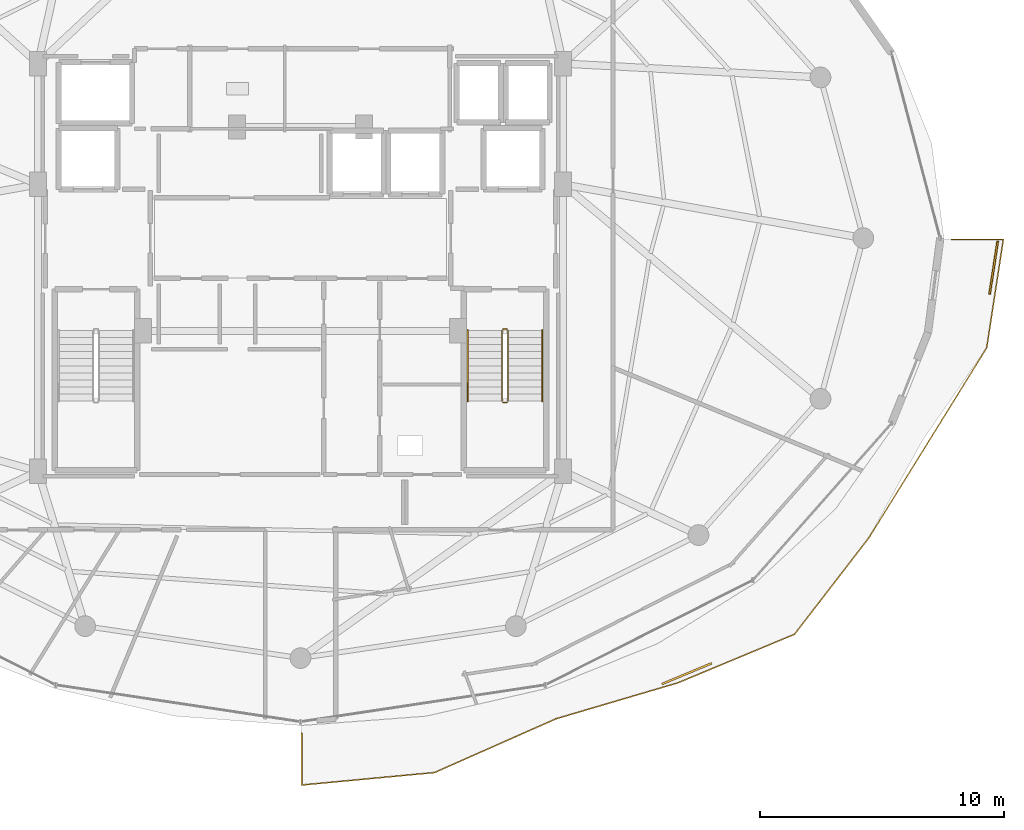
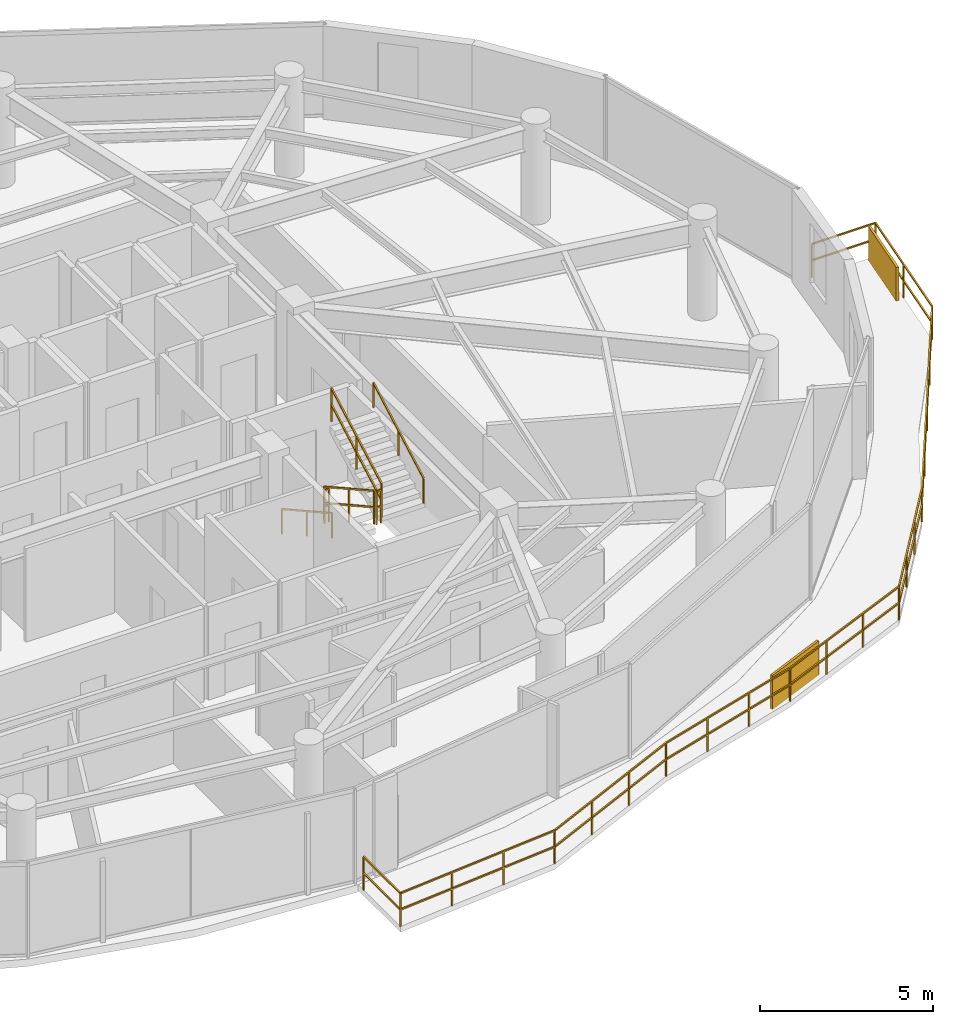
# One storey, part 28 of 30: 8 railings, 2 shading devices.
"""IFC4 building model written with IfcOpenShell, lengths in metres."""

from ifc_helpers import new_model, si_unit, direction, frame, origin, origin_2d, place, context, subcontext, project, spatial, rectangle, extrude, material, type_object, element, save


model = new_model("IFC4")

# Units and contexts
model_context = context("Model", 3, precision=1e-05, world=origin(), true_north=direction((0.0, 1.0)))
body_context = subcontext(model_context, "Body", "Model", "MODEL_VIEW")
ifc_project = project(units=[si_unit("LENGTHUNIT", "METRE"), si_unit("AREAUNIT", "SQUARE_METRE"), si_unit("VOLUMEUNIT", "CUBIC_METRE"), si_unit("PLANEANGLEUNIT", "RADIAN"), si_unit("MASSUNIT", "GRAM", prefix="KILO")], contexts=[model_context])

# Site, building, storey
site_placement = place(None, origin())
site = spatial("IfcSite", under=ifc_project, at=site_placement, CompositionType="ELEMENT")
building_placement = place(site_placement, origin())
building = spatial("IfcBuilding", under=site, at=building_placement, Name="Vorneva Point Tower", CompositionType="ELEMENT")
storey_placement = place(building_placement, frame((0.0, 0.0, 241.35009765625)))
storey = spatial("IfcBuildingStorey", under=building, at=storey_placement, Name="L65", CompositionType="ELEMENT", Elevation=241.35009765625)

# Railings
ifc_material_1 = material(Name="Pale anodised aluminium", Category="aluminium")
railing_type_1 = type_object("IfcRailingType", Name="RL-BAL-1200", PredefinedType="BALUSTRADE", material=ifc_material_1)
railing_1_placement = place(storey_placement, frame((66.10595703125, 21.511962890625, 0.0)))
element("IfcRailing", 1, at=railing_1_placement, inside=storey, type_object=railing_type_1, Name="L65 Wave Balcony Balustrade SE.1", PredefinedType="BALUSTRADE", context=body_context, shape_type="SweptSolid", body=[
    extrude(rectangle(XDim=0.048095703125, YDim=0.048095703125, at=origin_2d()), frame((0.0, 0.0, 1.17578125), z_axis=(0.151758903978, 0.988417540852, 0.0), x_axis=(-0.988417540852, 0.151758903978, 0.0)), (0.0, 0.0, 1.0), 4.489990234375),
    extrude(rectangle(XDim=0.048095703125, YDim=0.048095703125, at=origin_2d()), frame((0.0, 0.0, 0.60009765625), z_axis=(0.151758903978, 0.988417540852, 0.0), x_axis=(-0.988417540852, 0.151758903978, 0.0)), (0.0, 0.0, 1.0), 4.489990234375),
    extrude(rectangle(XDim=0.048095703125, YDim=0.048095703125, at=origin_2d()), frame((0.681396484375, 4.43798828125, 1.17578125), z_axis=(-1.0, 0.0, 0.0), x_axis=(0.0, -1.0, 0.0)), (0.0, 0.0, 1.0), 2.12109375),
    extrude(rectangle(XDim=0.048095703125, YDim=0.048095703125, at=origin_2d()), frame((0.681396484375, 4.43798828125, 0.60009765625), z_axis=(-1.0, 0.0, 0.0), x_axis=(0.0, -1.0, 0.0)), (0.0, 0.0, 1.0), 2.12109375),
    extrude(rectangle(XDim=0.0419921875, YDim=0.0419921875, at=origin_2d()), origin(), (0.0, 0.0, 1.0), 1.15185546875),
    extrude(rectangle(XDim=0.0419921875, YDim=0.0419921875, at=origin_2d()), frame((0.3408203125, 2.218994140625, 0.0)), (0.0, 0.0, 1.0), 1.15185546875),
    extrude(rectangle(XDim=0.0419921875, YDim=0.0419921875, at=origin_2d()), frame((0.681396484375, 4.43798828125, 0.0)), (0.0, 0.0, 1.0), 1.15185546875),
    extrude(rectangle(XDim=0.0419921875, YDim=0.0419921875, at=origin_2d()), frame((-1.439697265625, 4.43798828125, 0.0)), (0.0, 0.0, 1.0), 1.15185546875),
])
railing_2_placement = place(storey_placement, frame((38.050048828125, 5.722900390625, 0.0)))
element("IfcRailing", 2, at=railing_2_placement, inside=storey, type_object=railing_type_1, Name="L65 Wave Balcony Balustrade SE.2", PredefinedType="BALUSTRADE", context=body_context, shape_type="SweptSolid", body=[
    extrude(rectangle(XDim=0.048095703125, YDim=0.048095703125, at=origin_2d()), frame((0.0, 0.0, 1.17578125), z_axis=(0.0, -1.0, 0.0), x_axis=(1.0, 0.0, 0.0)), (0.0, 0.0, 1.0), 2.123291015625),
    extrude(rectangle(XDim=0.048095703125, YDim=0.048095703125, at=origin_2d()), frame((0.0, 0.0, 0.60009765625), z_axis=(0.0, -1.0, 0.0), x_axis=(1.0, 0.0, 0.0)), (0.0, 0.0, 1.0), 2.123291015625),
    extrude(rectangle(XDim=0.048095703125, YDim=0.048095703125, at=origin_2d()), frame((0.0, -2.123291015625, 1.17578125), z_axis=(0.995615776672, 0.09353729332, 0.0), x_axis=(-0.09353729332, 0.995615776672, 0.0)), (0.0, 0.0, 1.0), 5.462890625),
    extrude(rectangle(XDim=0.048095703125, YDim=0.048095703125, at=origin_2d()), frame((0.0, -2.123291015625, 0.60009765625), z_axis=(0.995615776672, 0.09353729332, 0.0), x_axis=(-0.09353729332, 0.995615776672, 0.0)), (0.0, 0.0, 1.0), 5.462890625),
    extrude(rectangle(XDim=0.048095703125, YDim=0.048095703125, at=origin_2d()), frame((5.43896484375, -1.6123046875, 1.17578125), z_axis=(0.914502833998, 0.40457949356, 0.0), x_axis=(-0.40457949356, 0.914502833998, 0.0)), (0.0, 0.0, 1.0), 5.450927734375),
    extrude(rectangle(XDim=0.048095703125, YDim=0.048095703125, at=origin_2d()), frame((5.43896484375, -1.6123046875, 0.60009765625), z_axis=(0.914502833998, 0.40457949356, 0.0), x_axis=(-0.40457949356, 0.914502833998, 0.0)), (0.0, 0.0, 1.0), 5.450927734375),
    extrude(rectangle(XDim=0.048095703125, YDim=0.048095703125, at=origin_2d()), frame((10.423828125, 0.593017578125, 1.17578125), z_axis=(0.959158019057, 0.282870808814, 0.0), x_axis=(-0.282870808814, 0.959158019057, 0.0)), (0.0, 0.0, 1.0), 5.196533203125),
    extrude(rectangle(XDim=0.048095703125, YDim=0.048095703125, at=origin_2d()), frame((10.423828125, 0.593017578125, 0.60009765625), z_axis=(0.959158019057, 0.282870808814, 0.0), x_axis=(-0.282870808814, 0.959158019057, 0.0)), (0.0, 0.0, 1.0), 5.196533203125),
    extrude(rectangle(XDim=0.048095703125, YDim=0.048095703125, at=origin_2d()), frame((15.408203125, 2.06298828125, 1.17578125), z_axis=(0.923176059665, 0.384377370381, 0.0), x_axis=(-0.384377370381, 0.923176059665, 0.0)), (0.0, 0.0, 1.0), 5.17138671875),
    extrude(rectangle(XDim=0.048095703125, YDim=0.048095703125, at=origin_2d()), frame((15.408203125, 2.06298828125, 0.60009765625), z_axis=(0.923176059665, 0.384377370381, 0.0), x_axis=(-0.384377370381, 0.923176059665, 0.0)), (0.0, 0.0, 1.0), 5.17138671875),
    extrude(rectangle(XDim=0.048095703125, YDim=0.048095703125, at=origin_2d()), frame((20.182373046875, 4.05078125, 1.17578125), z_axis=(0.610723422799, 0.791843987692, 0.0), x_axis=(-0.791843987692, 0.610723422799, 0.0)), (0.0, 0.0, 1.0), 4.97265625),
    extrude(rectangle(XDim=0.048095703125, YDim=0.048095703125, at=origin_2d()), frame((20.182373046875, 4.05078125, 0.60009765625), z_axis=(0.610723422799, 0.791843987692, 0.0), x_axis=(-0.791843987692, 0.610723422799, 0.0)), (0.0, 0.0, 1.0), 4.97265625),
    extrude(rectangle(XDim=0.048095703125, YDim=0.048095703125, at=origin_2d()), frame((23.21923828125, 7.98828125, 1.17578125), z_axis=(0.526954270992, 0.849893638218, 0.0), x_axis=(-0.849893638218, 0.526954270992, 0.0)), (0.0, 0.0, 1.0), 9.178466796875),
    extrude(rectangle(XDim=0.048095703125, YDim=0.048095703125, at=origin_2d()), frame((23.21923828125, 7.98828125, 0.60009765625), z_axis=(0.526954270992, 0.849893638218, 0.0), x_axis=(-0.849893638218, 0.526954270992, 0.0)), (0.0, 0.0, 1.0), 9.178466796875),
    extrude(rectangle(XDim=0.0419921875, YDim=0.0419921875, at=origin_2d()), origin(), (0.0, 0.0, 1.0), 1.15185546875),
    extrude(rectangle(XDim=0.0419921875, YDim=0.0419921875, at=origin_2d()), frame((0.0, -2.123291015625, 0.0)), (0.0, 0.0, 1.0), 1.15185546875),
    extrude(rectangle(XDim=0.0419921875, YDim=0.0419921875, at=origin_2d()), frame((1.81298828125, -1.952880859375, 0.0)), (0.0, 0.0, 1.0), 1.15185546875),
    extrude(rectangle(XDim=0.0419921875, YDim=0.0419921875, at=origin_2d()), frame((3.6259765625, -1.78271484375, 0.0)), (0.0, 0.0, 1.0), 1.15185546875),
    extrude(rectangle(XDim=0.0419921875, YDim=0.0419921875, at=origin_2d()), frame((5.43896484375, -1.6123046875, 0.0)), (0.0, 0.0, 1.0), 1.15185546875),
    extrude(rectangle(XDim=0.0419921875, YDim=0.0419921875, at=origin_2d()), frame((7.1005859375, -0.877197265625, 0.0)), (0.0, 0.0, 1.0), 1.15185546875),
    extrude(rectangle(XDim=0.0419921875, YDim=0.0419921875, at=origin_2d()), frame((8.76220703125, -0.14208984375, 0.0)), (0.0, 0.0, 1.0), 1.15185546875),
    extrude(rectangle(XDim=0.0419921875, YDim=0.0419921875, at=origin_2d()), frame((10.423828125, 0.593017578125, 0.0)), (0.0, 0.0, 1.0), 1.15185546875),
    extrude(rectangle(XDim=0.0419921875, YDim=0.0419921875, at=origin_2d()), frame((12.085205078125, 1.0830078125, 0.0)), (0.0, 0.0, 1.0), 1.15185546875),
    extrude(rectangle(XDim=0.0419921875, YDim=0.0419921875, at=origin_2d()), frame((13.746826171875, 1.572998046875, 0.0)), (0.0, 0.0, 1.0), 1.15185546875),
    extrude(rectangle(XDim=0.0419921875, YDim=0.0419921875, at=origin_2d()), frame((15.408203125, 2.06298828125, 0.0)), (0.0, 0.0, 1.0), 1.15185546875),
    extrude(rectangle(XDim=0.0419921875, YDim=0.0419921875, at=origin_2d()), frame((16.99951171875, 2.7255859375, 0.0)), (0.0, 0.0, 1.0), 1.15185546875),
    extrude(rectangle(XDim=0.0419921875, YDim=0.0419921875, at=origin_2d()), frame((18.591064453125, 3.38818359375, 0.0)), (0.0, 0.0, 1.0), 1.15185546875),
    extrude(rectangle(XDim=0.0419921875, YDim=0.0419921875, at=origin_2d()), frame((20.182373046875, 4.05078125, 0.0)), (0.0, 0.0, 1.0), 1.15185546875),
    extrude(rectangle(XDim=0.0419921875, YDim=0.0419921875, at=origin_2d()), frame((21.194580078125, 5.36328125, 0.0)), (0.0, 0.0, 1.0), 1.15185546875),
    extrude(rectangle(XDim=0.0419921875, YDim=0.0419921875, at=origin_2d()), frame((22.20703125, 6.67578125, 0.0)), (0.0, 0.0, 1.0), 1.15185546875),
    extrude(rectangle(XDim=0.0419921875, YDim=0.0419921875, at=origin_2d()), frame((23.21923828125, 7.98828125, 0.0)), (0.0, 0.0, 1.0), 1.15185546875),
    extrude(rectangle(XDim=0.0419921875, YDim=0.0419921875, at=origin_2d()), frame((24.428466796875, 9.9384765625, 0.0)), (0.0, 0.0, 1.0), 1.15185546875),
    extrude(rectangle(XDim=0.0419921875, YDim=0.0419921875, at=origin_2d()), frame((25.6376953125, 11.888671875, 0.0)), (0.0, 0.0, 1.0), 1.15185546875),
    extrude(rectangle(XDim=0.0419921875, YDim=0.0419921875, at=origin_2d()), frame((26.8466796875, 13.8388671875, 0.0)), (0.0, 0.0, 1.0), 1.15185546875),
    extrude(rectangle(XDim=0.0419921875, YDim=0.0419921875, at=origin_2d()), frame((28.055908203125, 15.7890625, 0.0)), (0.0, 0.0, 1.0), 1.15185546875),
])
ifc_material_2 = material(Name="Brushed stainless steel S304", Category="steel")
railing_type_2 = type_object("IfcRailingType", Name="RL-HND-920", PredefinedType="HANDRAIL", material=ifc_material_2)
railing_3_placement = place(storey_placement, frame((44.85009765625, 22.219970703125, 0.161376953125)))
element("IfcRailing", 3, at=railing_3_placement, inside=storey, type_object=railing_type_2, Name="L65 ST2 stair handrail 1", PredefinedType="HANDRAIL", context=body_context, shape_type="SweptSolid", body=[
    extrude(rectangle(XDim=0.048095703125, YDim=0.048095703125, at=origin_2d()), frame((0.0, 0.0, 0.8759765625), z_axis=(0.0, -0.873841303929, 0.486211245805), x_axis=(1.0, 0.0, 0.0)), (0.0, 0.0, 1.0), 3.318603515625),
    extrude(rectangle(XDim=0.0419921875, YDim=0.0419921875, at=origin_2d()), origin(), (0.0, 0.0, 1.0), 0.851806640625),
    extrude(rectangle(XDim=0.0419921875, YDim=0.0419921875, at=origin_2d()), frame((0.0, -1.449951171875, 0.806640625)), (0.0, 0.0, 1.0), 0.851806640625),
    extrude(rectangle(XDim=0.0419921875, YDim=0.0419921875, at=origin_2d()), frame((0.0, -2.89990234375, 1.613525390625)), (0.0, 0.0, 1.0), 0.851806640625),
])
railing_4_placement = place(storey_placement, frame((47.89990234375, 19.320068359375, 1.936279296875)))
element("IfcRailing", 4, at=railing_4_placement, inside=storey, type_object=railing_type_2, Name="L65 ST2 stair handrail 2", PredefinedType="HANDRAIL", context=body_context, shape_type="SweptSolid", body=[
    extrude(rectangle(XDim=0.048095703125, YDim=0.048095703125, at=origin_2d()), frame((0.0, 0.0, 0.8759765625), z_axis=(0.0, 0.873841303929, 0.486211245805), x_axis=(-1.0, 0.0, 0.0)), (0.0, 0.0, 1.0), 3.318603515625),
    extrude(rectangle(XDim=0.0419921875, YDim=0.0419921875, at=origin_2d()), origin(), (0.0, 0.0, 1.0), 0.851806640625),
    extrude(rectangle(XDim=0.0419921875, YDim=0.0419921875, at=origin_2d()), frame((0.0, 1.449951171875, 0.806640625)), (0.0, 0.0, 1.0), 0.851806640625),
    extrude(rectangle(XDim=0.0419921875, YDim=0.0419921875, at=origin_2d()), frame((0.0, 2.89990234375, 1.613525390625)), (0.0, 0.0, 1.0), 0.851806640625),
])
railing_type_3 = type_object("IfcRailingType", Name="RL-STG-1100", PredefinedType="GUARDRAIL", material=ifc_material_2)
railing_5_placement = place(storey_placement, frame((46.25, 22.219970703125, 0.161376953125)))
element("IfcRailing", 5, at=railing_5_placement, inside=storey, type_object=railing_type_3, Name="L65 ST2 stair guard 1", PredefinedType="GUARDRAIL", context=body_context, shape_type="SweptSolid", body=[
    extrude(rectangle(XDim=0.048095703125, YDim=0.048095703125, at=origin_2d()), frame((0.0, 0.0, 1.17578125), z_axis=(0.0, -0.873841303929, 0.486211245805), x_axis=(1.0, 0.0, 0.0)), (0.0, 0.0, 1.0), 3.318603515625),
    extrude(rectangle(XDim=0.048095703125, YDim=0.048095703125, at=origin_2d()), frame((0.0, 0.0, 0.60009765625), z_axis=(0.0, -0.873841303929, 0.486211245805), x_axis=(1.0, 0.0, 0.0)), (0.0, 0.0, 1.0), 3.318603515625),
    extrude(rectangle(XDim=0.0419921875, YDim=0.0419921875, at=origin_2d()), origin(), (0.0, 0.0, 1.0), 1.15185546875),
    extrude(rectangle(XDim=0.0419921875, YDim=0.0419921875, at=origin_2d()), frame((0.0, -1.449951171875, 0.806640625)), (0.0, 0.0, 1.0), 1.15185546875),
    extrude(rectangle(XDim=0.0419921875, YDim=0.0419921875, at=origin_2d()), frame((0.0, -2.89990234375, 1.613525390625)), (0.0, 0.0, 1.0), 1.15185546875),
])
railing_6_placement = place(storey_placement, frame((46.300048828125, 19.27001953125, 1.77490234375)))
element("IfcRailing", 6, at=railing_6_placement, inside=storey, type_object=railing_type_3, Name="L65 ST2 stair guard 2", PredefinedType="GUARDRAIL", context=body_context, shape_type="SweptSolid", body=[
    extrude(rectangle(XDim=0.048095703125, YDim=0.048095703125, at=origin_2d()), frame((0.0, 0.0, 1.17578125), z_axis=(1.0, 0.0, 0.0), x_axis=(0.0, 1.0, 0.0)), (0.0, 0.0, 1.0), 0.14990234375),
    extrude(rectangle(XDim=0.048095703125, YDim=0.048095703125, at=origin_2d()), frame((0.0, 0.0, 0.60009765625), z_axis=(1.0, 0.0, 0.0), x_axis=(0.0, 1.0, 0.0)), (0.0, 0.0, 1.0), 0.14990234375),
    extrude(rectangle(XDim=0.0419921875, YDim=0.0419921875, at=origin_2d()), origin(), (0.0, 0.0, 1.0), 1.15185546875),
    extrude(rectangle(XDim=0.0419921875, YDim=0.0419921875, at=origin_2d()), frame((0.14990234375, 0.0, 0.0)), (0.0, 0.0, 1.0), 1.15185546875),
])
railing_7_placement = place(storey_placement, frame((46.5, 19.320068359375, 1.936279296875)))
element("IfcRailing", 7, at=railing_7_placement, inside=storey, type_object=railing_type_3, Name="L65 ST2 stair guard 3", PredefinedType="GUARDRAIL", context=body_context, shape_type="SweptSolid", body=[
    extrude(rectangle(XDim=0.048095703125, YDim=0.048095703125, at=origin_2d()), frame((0.0, 0.0, 1.17578125), z_axis=(0.0, 0.873841303929, 0.486211245805), x_axis=(-1.0, 0.0, 0.0)), (0.0, 0.0, 1.0), 3.318603515625),
    extrude(rectangle(XDim=0.048095703125, YDim=0.048095703125, at=origin_2d()), frame((0.0, 0.0, 0.60009765625), z_axis=(0.0, 0.873841303929, 0.486211245805), x_axis=(-1.0, 0.0, 0.0)), (0.0, 0.0, 1.0), 3.318603515625),
    extrude(rectangle(XDim=0.0419921875, YDim=0.0419921875, at=origin_2d()), origin(), (0.0, 0.0, 1.0), 1.15185546875),
    extrude(rectangle(XDim=0.0419921875, YDim=0.0419921875, at=origin_2d()), frame((0.0, 1.449951171875, 0.806640625)), (0.0, 0.0, 1.0), 1.15185546875),
    extrude(rectangle(XDim=0.0419921875, YDim=0.0419921875, at=origin_2d()), frame((0.0, 2.89990234375, 1.613525390625)), (0.0, 0.0, 1.0), 1.15185546875),
])
railing_8_placement = place(storey_placement, frame((46.300048828125, 22.27001953125, 0.0)))
element("IfcRailing", 8, at=railing_8_placement, inside=storey, type_object=railing_type_3, Name="L65 ST2 stair guard 4", PredefinedType="GUARDRAIL", context=body_context, shape_type="SweptSolid", body=[
    extrude(rectangle(XDim=0.048095703125, YDim=0.048095703125, at=origin_2d()), frame((0.0, 0.0, 1.17578125), z_axis=(1.0, 0.0, 0.0), x_axis=(0.0, 1.0, 0.0)), (0.0, 0.0, 1.0), 0.14990234375),
    extrude(rectangle(XDim=0.048095703125, YDim=0.048095703125, at=origin_2d()), frame((0.0, 0.0, 0.60009765625), z_axis=(1.0, 0.0, 0.0), x_axis=(0.0, 1.0, 0.0)), (0.0, 0.0, 1.0), 0.14990234375),
    extrude(rectangle(XDim=0.0419921875, YDim=0.0419921875, at=origin_2d()), origin(), (0.0, 0.0, 1.0), 1.15185546875),
    extrude(rectangle(XDim=0.0419921875, YDim=0.0419921875, at=origin_2d()), frame((0.14990234375, 0.0, 0.0)), (0.0, 0.0, 1.0), 1.15185546875),
])

# Shading devices
shading_device_type = type_object("IfcShadingDeviceType", Name="SHD-JAL-1200", PredefinedType="JALOUSIE", material=ifc_material_1)
for number, where, z_axis, x_axis, name in (
    (9, (66.3876953125, 24.78857421875, -0.02001953125), (0.0, 0.0, 1.0), (0.151761122566, 0.988417200213, 0.0), "L65 Balcony Vertical-Greenery Planter Screen SE.1"),
    (10, (53.820556640625, 8.162109375, -0.02001953125), (0.0, 0.0, 1.0), (0.923169968739, 0.3843919989, 0.0), "L65 Balcony Vertical-Greenery Planter Screen SE.2"),
):
    element("IfcShadingDevice", number, at=place(storey_placement, frame(where, z_axis=z_axis, x_axis=x_axis)), inside=storey, type_object=shading_device_type, Name=name, PredefinedType="JALOUSIE", context=body_context, shape_type="SweptSolid", body=[
        extrude(rectangle(XDim=2.199951171875, YDim=0.080078125, at=origin_2d()), origin(), (0.0, 0.0, 1.0), 1.199951171875),
    ])

save(model, "model.ifc")
